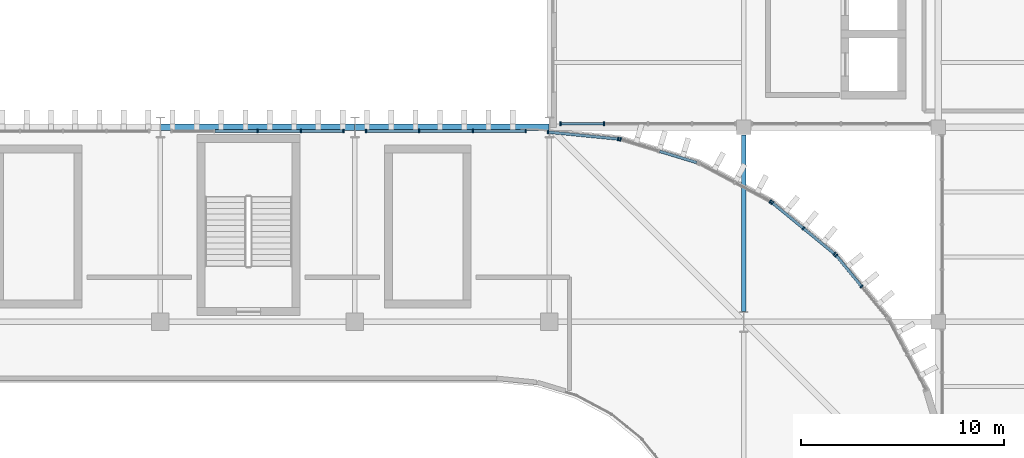
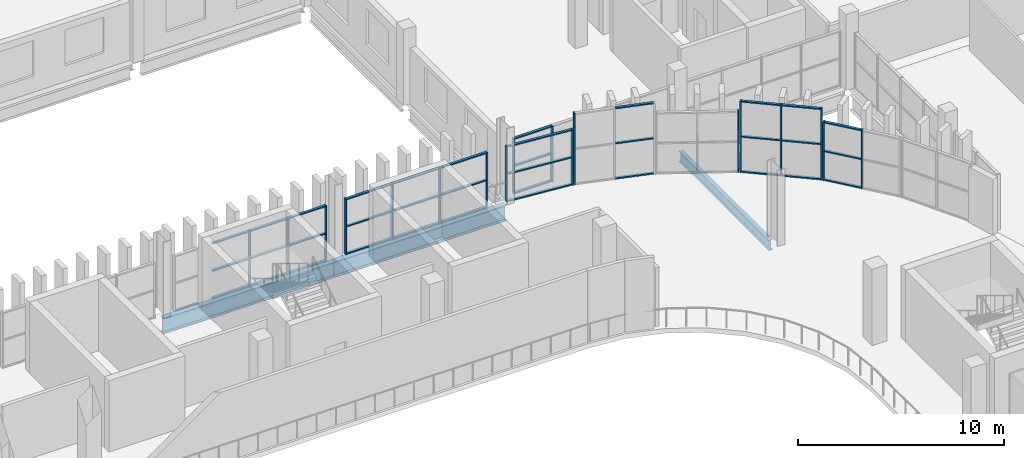
# One storey, part 34 of 92: 54 members, 3 beams, 8 elements without a shape of their own.
"""IFC4 building model written with IfcOpenShell, lengths in metres."""

from ifc_helpers import new_model, si_unit, direction, frame, origin, origin_2d, place, context, subcontext, project, spatial, rectangle, i_section, extrude, material, layer, layer_set, material_profile, profile_set, type_object, element, aggregate, save


model = new_model("IFC4")

# Units and contexts
model_context = context("Model", 3, precision=1e-05, world=origin(), true_north=direction((0.0, 1.0)))
body_context = subcontext(model_context, "Body", "Model", "MODEL_VIEW")
ifc_project = project(units=[si_unit("LENGTHUNIT", "METRE"), si_unit("AREAUNIT", "SQUARE_METRE"), si_unit("VOLUMEUNIT", "CUBIC_METRE"), si_unit("PLANEANGLEUNIT", "RADIAN"), si_unit("MASSUNIT", "GRAM", prefix="KILO")], contexts=[model_context])

# Site, building, storey
site_placement = place(None, origin())
site = spatial("IfcSite", under=ifc_project, at=site_placement, CompositionType="ELEMENT")
building_placement = place(site_placement, origin())
building = spatial("IfcBuilding", under=site, at=building_placement, Name="Caelomonte Colonnade Arena", CompositionType="ELEMENT")
storey_placement = place(building_placement, frame((0.0, 0.0, 9.60009765625)))
storey = spatial("IfcBuildingStorey", under=building, at=storey_placement, Name="L02", CompositionType="ELEMENT", Elevation=9.60009765625)

# Curtain wall, members
ifc_material_1 = material(Name="Bronze anodised aluminium and low-E glazing", Category="aluminium")
ifc_layer_1 = layer(ifc_material_1, 0.179931640625)
ifc_layer_set_1 = layer_set([ifc_layer_1], Name="Bronze anodised aluminium and low-E glazing")
curtain_wall_type_1 = type_object("IfcCurtainWallType", Name="ENV-CW-CW-L02-96-33", PredefinedType="USERDEFINED", material=ifc_layer_set_1)
curtain_wall_1_placement = place(storey_placement, origin())
curtain_wall_1 = element("IfcCurtainWall", 1, at=curtain_wall_1_placement, inside=storey, type_object=curtain_wall_type_1, Name="L02 unitized curtain wall CW-L02-1488-1154", ObjectType="UNITIZED CURTAIN WALL", PredefinedType="USERDEFINED")
ifc_material_2 = material(Name="Bronze anodised aluminium AA6063-T6", Category="aluminium")
ifc_material_profile_1 = material_profile(ifc_material_2, rectangle(XDim=0.070068359375, YDim=0.179931640625, at=origin_2d()), Name="CWM-70X180")
ifc_profile_set_1 = profile_set([ifc_material_profile_1], Name="Bronze anodised aluminium AA6063-T6")
member_type_1 = type_object("IfcMemberType", Name="ENV-CW-MULL1", PredefinedType="MULLION", material=ifc_profile_set_1)
member_1_placement = place(storey_placement, frame((144.560546875, 115.3798828125, 0.0), z_axis=(0.0, 0.0, 1.0), x_axis=(1.0, 0.0, 0.0)))
member_1 = element("IfcMember", 2, at=member_1_placement, type_object=member_type_1, Name="CW-L02-96-33 mullion 1", PredefinedType="MULLION", context=body_context, shape_type="SweptSolid", body=[
    extrude(rectangle(XDim=0.070068359375, YDim=0.179931640625, at=origin_2d()), origin(), (0.0, 0.0, 1.0), 3.29296875),
])
member_2_placement = place(storey_placement, frame((146.70166015625, 115.3798828125, 0.0), z_axis=(0.0, 0.0, 1.0), x_axis=(1.0, 0.0, 0.0)))
member_2 = element("IfcMember", 3, at=member_2_placement, type_object=member_type_1, Name="CW-L02-96-33 mullion 2", PredefinedType="MULLION", context=body_context, shape_type="SweptSolid", body=[
    extrude(rectangle(XDim=0.070068359375, YDim=0.179931640625, at=origin_2d()), origin(), (0.0, 0.0, 1.0), 3.29296875),
])

ifc_layer_2 = layer(ifc_material_1, 0.179931640625)
ifc_layer_set_2 = layer_set([ifc_layer_2], Name="Bronze anodised aluminium and low-E glazing")
curtain_wall_type_2 = type_object("IfcCurtainWallType", Name="ENV-CW-CW-L02-44-35", PredefinedType="USERDEFINED", material=ifc_layer_set_2)
curtain_wall_2_placement = place(storey_placement, origin())
curtain_wall_2 = element("IfcCurtainWall", 4, at=curtain_wall_2_placement, inside=storey, type_object=curtain_wall_type_2, Name="L02 unitized curtain wall CW-L02-1594-1073", ObjectType="UNITIZED CURTAIN WALL", PredefinedType="USERDEFINED")
member_3_placement = place(storey_placement, frame((159.416015625, 107.343994140625, 0.0), z_axis=(0.0, 0.0, 1.0), x_axis=(-0.634416071163, 0.772991751994, 0.0)))
member_3 = element("IfcMember", 5, at=member_3_placement, type_object=member_type_1, Name="CW-L02-44-35 mullion 2", PredefinedType="MULLION", context=body_context, shape_type="SweptSolid", body=[
    extrude(rectangle(XDim=0.070068359375, YDim=0.179931640625, at=origin_2d()), origin(), (0.0, 0.0, 1.0), 3.465576171875),
])
member_4_placement = place(storey_placement, frame((158.15771484375, 108.876953125, 0.0), z_axis=(0.0, 0.0, 1.0), x_axis=(-0.634416071163, 0.772991751994, 0.0)))
member_4 = element("IfcMember", 6, at=member_4_placement, type_object=member_type_1, Name="CW-L02-44-35 mullion 3", PredefinedType="MULLION", context=body_context, shape_type="SweptSolid", body=[
    extrude(rectangle(XDim=0.070068359375, YDim=0.179931640625, at=origin_2d()), origin(), (0.0, 0.0, 1.0), 3.465576171875),
])

ifc_layer_3 = layer(ifc_material_1, 0.179931640625)
ifc_layer_set_3 = layer_set([ifc_layer_3], Name="Bronze anodised aluminium and low-E glazing")
curtain_wall_type_3 = type_object("IfcCurtainWallType", Name="ENV-CW-CW-L02-44-42", PredefinedType="USERDEFINED", material=ifc_layer_set_3)
curtain_wall_3_placement = place(storey_placement, origin())
curtain_wall_3 = element("IfcCurtainWall", 7, at=curtain_wall_3_placement, inside=storey, type_object=curtain_wall_type_3, Name="L02 unitized curtain wall CW-L02-1565-1102", ObjectType="UNITIZED CURTAIN WALL", PredefinedType="USERDEFINED")
member_5_placement = place(storey_placement, frame((158.0771484375, 108.95751953125, 0.0), z_axis=(0.0, 0.0, 1.0), x_axis=(-0.772991751994, 0.634416071163, 0.0)))
member_5 = element("IfcMember", 8, at=member_5_placement, type_object=member_type_1, Name="CW-L02-44-42 mullion 1", PredefinedType="MULLION", context=body_context, shape_type="SweptSolid", body=[
    extrude(rectangle(XDim=0.070068359375, YDim=0.179931640625, at=origin_2d()), origin(), (0.0, 0.0, 1.0), 4.219970703125),
])
member_6_placement = place(storey_placement, frame((156.5439453125, 110.2158203125, 0.0), z_axis=(0.0, 0.0, 1.0), x_axis=(-0.772991751994, 0.634416071163, 0.0)))
member_6 = element("IfcMember", 9, at=member_6_placement, type_object=member_type_1, Name="CW-L02-44-42 mullion 2", PredefinedType="MULLION", context=body_context, shape_type="SweptSolid", body=[
    extrude(rectangle(XDim=0.070068359375, YDim=0.179931640625, at=origin_2d()), origin(), (0.0, 0.0, 1.0), 4.219970703125),
])
member_7_placement = place(storey_placement, frame((155.0107421875, 111.47412109375, 0.0), z_axis=(0.0, 0.0, 1.0), x_axis=(-0.772991751994, 0.634416071163, 0.0)))
member_7 = element("IfcMember", 10, at=member_7_placement, type_object=member_type_1, Name="CW-L02-44-42 mullion 3", PredefinedType="MULLION", context=body_context, shape_type="SweptSolid", body=[
    extrude(rectangle(XDim=0.070068359375, YDim=0.179931640625, at=origin_2d()), origin(), (0.0, 0.0, 1.0), 4.219970703125),
])

# Curtain wall, member
ifc_layer_4 = layer(ifc_material_1, 0.179931640625)
ifc_layer_set_4 = layer_set([ifc_layer_4], Name="Bronze anodised aluminium and low-E glazing")
curtain_wall_type_4 = type_object("IfcCurtainWallType", Name="ENV-CW-CW-L02-44-36", PredefinedType="USERDEFINED", material=ifc_layer_set_4)
curtain_wall_4_placement = place(storey_placement, origin())
curtain_wall_4 = element("IfcCurtainWall", 11, at=curtain_wall_4_placement, inside=storey, type_object=curtain_wall_type_4, Name="L02 unitized curtain wall CW-L02-1532-1125", ObjectType="UNITIZED CURTAIN WALL", PredefinedType="USERDEFINED")
member_8_placement = place(storey_placement, frame((154.916015625, 111.53759765625, 0.0), z_axis=(0.0, 0.0, 1.0), x_axis=(-0.881922613642, 0.471394212466, 0.0)))
member_8 = element("IfcMember", 12, at=member_8_placement, type_object=member_type_1, Name="CW-L02-44-36 mullion 1", PredefinedType="MULLION", context=body_context, shape_type="SweptSolid", body=[
    extrude(rectangle(XDim=0.070068359375, YDim=0.179931640625, at=origin_2d()), origin(), (0.0, 0.0, 1.0), 3.61279296875),
])
aggregate(curtain_wall_4, [member_8])

curtain_wall_5_placement = place(storey_placement, origin())
curtain_wall_5 = element("IfcCurtainWall", 13, at=curtain_wall_5_placement, inside=storey, type_object=curtain_wall_type_3, Name="L02 unitized curtain wall CW-L02-1494-1140", ObjectType="UNITIZED CURTAIN WALL", PredefinedType="USERDEFINED")
member_9_placement = place(storey_placement, frame((147.516357421875, 114.6025390625, 0.0), z_axis=(0.0, 0.0, 1.0), x_axis=(-0.956949160999, 0.290255582655, 0.0)))
member_9 = element("IfcMember", 14, at=member_9_placement, type_object=member_type_1, Name="CW-L02-44-42 mullion 3", PredefinedType="MULLION", context=body_context, shape_type="SweptSolid", body=[
    extrude(rectangle(XDim=0.070068359375, YDim=0.179931640625, at=origin_2d()), origin(), (0.0, 0.0, 1.0), 4.219970703125),
])

# Curtain wall, members
ifc_layer_5 = layer(ifc_material_1, 0.179931640625)
ifc_layer_set_5 = layer_set([ifc_layer_5], Name="Bronze anodised aluminium and low-E glazing")
curtain_wall_type_5 = type_object("IfcCurtainWallType", Name="ENV-CW-CW-L02-42-33", PredefinedType="USERDEFINED", material=ifc_layer_set_5)
curtain_wall_6_placement = place(storey_placement, origin())
curtain_wall_6 = element("IfcCurtainWall", 15, at=curtain_wall_6_placement, inside=storey, type_object=curtain_wall_type_5, Name="L02 unitized curtain wall CW-L02-1455-1148", ObjectType="UNITIZED CURTAIN WALL", PredefinedType="USERDEFINED")
member_10_placement = place(storey_placement, frame((147.404541015625, 114.624755859375, 0.0), z_axis=(0.0, 0.0, 1.0), x_axis=(-0.995184134744, 0.098023150088, 0.0)))
member_10 = element("IfcMember", 16, at=member_10_placement, type_object=member_type_1, Name="CW-L02-42-33 mullion 1", PredefinedType="MULLION", context=body_context, shape_type="SweptSolid", body=[
    extrude(rectangle(XDim=0.070068359375, YDim=0.179931640625, at=origin_2d()), origin(), (0.0, 0.0, 1.0), 3.29296875),
])
member_11_placement = place(storey_placement, frame((143.940185546875, 114.966064453125, 0.0), z_axis=(0.0, 0.0, 1.0), x_axis=(-0.995184134744, 0.098023150088, 0.0)))
member_11 = element("IfcMember", 17, at=member_11_placement, type_object=member_type_1, Name="CW-L02-42-33 mullion 2", PredefinedType="MULLION", context=body_context, shape_type="SweptSolid", body=[
    extrude(rectangle(XDim=0.070068359375, YDim=0.179931640625, at=origin_2d()), origin(), (0.0, 0.0, 1.0), 3.29296875),
])

ifc_layer_6 = layer(ifc_material_1, 0.179931640625)
ifc_layer_set_6 = layer_set([ifc_layer_6], Name="Bronze anodised aluminium and low-E glazing")
curtain_wall_type_6 = type_object("IfcCurtainWallType", Name="ENV-CW-CW-L02-90-33", PredefinedType="USERDEFINED", material=ifc_layer_set_6)
curtain_wall_7_placement = place(storey_placement, origin())
curtain_wall_7 = element("IfcCurtainWall", 18, at=curtain_wall_7_placement, inside=storey, type_object=curtain_wall_type_6, Name="L02 unitized curtain wall CW-L02-1389-1150", ObjectType="UNITIZED CURTAIN WALL", PredefinedType="USERDEFINED")
member_12_placement = place(storey_placement, frame((142.839599609375, 115.02001953125, 0.0), z_axis=(0.0, 0.0, 1.0), x_axis=(-1.0, 0.0, 0.0)))
member_12 = element("IfcMember", 19, at=member_12_placement, type_object=member_type_1, Name="CW-L02-90-33 mullion 1", PredefinedType="MULLION", context=body_context, shape_type="SweptSolid", body=[
    extrude(rectangle(XDim=0.070068359375, YDim=0.179931640625, at=origin_2d()), origin(), (0.0, 0.0, 1.0), 3.29296875),
])
member_13_placement = place(storey_placement, frame((140.224853515625, 115.02001953125, 0.0), z_axis=(0.0, 0.0, 1.0), x_axis=(-1.0, 0.0, 0.0)))
member_13 = element("IfcMember", 20, at=member_13_placement, type_object=member_type_1, Name="CW-L02-90-33 mullion 2", PredefinedType="MULLION", context=body_context, shape_type="SweptSolid", body=[
    extrude(rectangle(XDim=0.070068359375, YDim=0.179931640625, at=origin_2d()), origin(), (0.0, 0.0, 1.0), 3.29296875),
])
member_14_placement = place(storey_placement, frame((137.5751953125, 115.02001953125, 0.0), z_axis=(0.0, 0.0, 1.0), x_axis=(-1.0, 0.0, 0.0)))
member_14 = element("IfcMember", 21, at=member_14_placement, type_object=member_type_1, Name="CW-L02-90-33 mullion 3", PredefinedType="MULLION", context=body_context, shape_type="SweptSolid", body=[
    extrude(rectangle(XDim=0.070068359375, YDim=0.179931640625, at=origin_2d()), origin(), (0.0, 0.0, 1.0), 3.29296875),
])
member_15_placement = place(storey_placement, frame((134.96044921875, 115.02001953125, 0.0), z_axis=(0.0, 0.0, 1.0), x_axis=(-1.0, 0.0, 0.0)))
member_15 = element("IfcMember", 22, at=member_15_placement, type_object=member_type_1, Name="CW-L02-90-33 mullion 4", PredefinedType="MULLION", context=body_context, shape_type="SweptSolid", body=[
    extrude(rectangle(XDim=0.070068359375, YDim=0.179931640625, at=origin_2d()), origin(), (0.0, 0.0, 1.0), 3.29296875),
])

curtain_wall_8_placement = place(storey_placement, origin())
curtain_wall_8 = element("IfcCurtainWall", 23, at=curtain_wall_8_placement, inside=storey, type_object=curtain_wall_type_1, Name="L02 unitized curtain wall CW-L02-1296-1150", ObjectType="UNITIZED CURTAIN WALL", PredefinedType="USERDEFINED")
member_16_placement = place(storey_placement, frame((133.839599609375, 115.02001953125, 0.0), z_axis=(0.0, 0.0, 1.0), x_axis=(-1.0, 0.0, 0.0)))
member_16 = element("IfcMember", 24, at=member_16_placement, type_object=member_type_1, Name="CW-L02-96-33 mullion 1", PredefinedType="MULLION", context=body_context, shape_type="SweptSolid", body=[
    extrude(rectangle(XDim=0.070068359375, YDim=0.179931640625, at=origin_2d()), origin(), (0.0, 0.0, 1.0), 3.29296875),
])
member_17_placement = place(storey_placement, frame((131.7373046875, 115.02001953125, 0.0), z_axis=(0.0, 0.0, 1.0), x_axis=(-1.0, 0.0, 0.0)))
member_17 = element("IfcMember", 25, at=member_17_placement, type_object=member_type_1, Name="CW-L02-96-33 mullion 2", PredefinedType="MULLION", context=body_context, shape_type="SweptSolid", body=[
    extrude(rectangle(XDim=0.070068359375, YDim=0.179931640625, at=origin_2d()), origin(), (0.0, 0.0, 1.0), 3.29296875),
])
member_18_placement = place(storey_placement, frame((129.60009765625, 115.02001953125, 0.0), z_axis=(0.0, 0.0, 1.0), x_axis=(-1.0, 0.0, 0.0)))
member_18 = element("IfcMember", 26, at=member_18_placement, type_object=member_type_1, Name="CW-L02-96-33 mullion 3", PredefinedType="MULLION", context=body_context, shape_type="SweptSolid", body=[
    extrude(rectangle(XDim=0.070068359375, YDim=0.179931640625, at=origin_2d()), origin(), (0.0, 0.0, 1.0), 3.29296875),
])

# Member
ifc_material_profile_2 = material_profile(ifc_material_2, rectangle(XDim=0.070068359375, YDim=0.139892578125, at=origin_2d()), Name="CWT-70X140")
ifc_profile_set_2 = profile_set([ifc_material_profile_2], Name="Bronze anodised aluminium AA6063-T6")
member_type_2 = type_object("IfcMemberType", Name="ENV-CW-TRAN1", PredefinedType="USERDEFINED", material=ifc_profile_set_2)
member_19_placement = place(storey_placement, frame((144.595458984375, 115.3798828125, 0.034912109375), z_axis=(1.0, 0.0, 0.0), x_axis=(0.0, 0.0, 1.0)))
member_19 = element("IfcMember", 27, at=member_19_placement, type_object=member_type_2, Name="CW-L02-96-33 transom 1.1", ObjectType="TRANSOM", PredefinedType="USERDEFINED", context=body_context, shape_type="SweptSolid", body=[
    extrude(rectangle(XDim=0.070068359375, YDim=0.139892578125, at=origin_2d()), origin(), (0.0, 0.0, 1.0), 2.071044921875),
])

member_20_placement = place(storey_placement, frame((144.595458984375, 115.3798828125, 1.646484375), z_axis=(1.0, 0.0, 0.0), x_axis=(0.0, 0.0, 1.0)))
member_20 = element("IfcMember", 28, at=member_20_placement, type_object=member_type_2, Name="CW-L02-96-33 transom 1.2", ObjectType="TRANSOM", PredefinedType="USERDEFINED", context=body_context, shape_type="SweptSolid", body=[
    extrude(rectangle(XDim=0.070068359375, YDim=0.139892578125, at=origin_2d()), origin(), (0.0, 0.0, 1.0), 2.071044921875),
])

member_21_placement = place(storey_placement, frame((144.595458984375, 115.3798828125, 3.2578125), z_axis=(1.0, 0.0, 0.0), x_axis=(0.0, 0.0, 1.0)))
member_21 = element("IfcMember", 29, at=member_21_placement, type_object=member_type_2, Name="CW-L02-96-33 transom 1.3", ObjectType="TRANSOM", PredefinedType="USERDEFINED", context=body_context, shape_type="SweptSolid", body=[
    extrude(rectangle(XDim=0.070068359375, YDim=0.139892578125, at=origin_2d()), origin(), (0.0, 0.0, 1.0), 2.071044921875),
])

aggregate(curtain_wall_1, [member_1, member_2, member_19, member_20, member_21])

member_22_placement = place(storey_placement, frame((159.393798828125, 107.370849609375, 0.034912109375), z_axis=(-0.634431948726, 0.772978720558, 0.0), x_axis=(0.0, 0.0, 1.0)))
member_22 = element("IfcMember", 30, at=member_22_placement, type_object=member_type_2, Name="CW-L02-44-35 transom 2.1", ObjectType="TRANSOM", PredefinedType="USERDEFINED", context=body_context, shape_type="SweptSolid", body=[
    extrude(rectangle(XDim=0.070068359375, YDim=0.139892578125, at=origin_2d()), origin(), (0.0, 0.0, 1.0), 1.913818359375),
])

member_23_placement = place(storey_placement, frame((159.393798828125, 107.370849609375, 1.732666015625), z_axis=(-0.634431948726, 0.772978720558, 0.0), x_axis=(0.0, 0.0, 1.0)))
member_23 = element("IfcMember", 31, at=member_23_placement, type_object=member_type_2, Name="CW-L02-44-35 transom 2.2", ObjectType="TRANSOM", PredefinedType="USERDEFINED", context=body_context, shape_type="SweptSolid", body=[
    extrude(rectangle(XDim=0.070068359375, YDim=0.139892578125, at=origin_2d()), origin(), (0.0, 0.0, 1.0), 1.913818359375),
])

member_24_placement = place(storey_placement, frame((159.393798828125, 107.370849609375, 3.430419921875), z_axis=(-0.634431948726, 0.772978720558, 0.0), x_axis=(0.0, 0.0, 1.0)))
member_24 = element("IfcMember", 32, at=member_24_placement, type_object=member_type_2, Name="CW-L02-44-35 transom 2.3", ObjectType="TRANSOM", PredefinedType="USERDEFINED", context=body_context, shape_type="SweptSolid", body=[
    extrude(rectangle(XDim=0.070068359375, YDim=0.139892578125, at=origin_2d()), origin(), (0.0, 0.0, 1.0), 1.913818359375),
])

aggregate(curtain_wall_2, [member_3, member_4, member_22, member_23, member_24])

member_25_placement = place(storey_placement, frame((158.050048828125, 108.979736328125, 0.034912109375), z_axis=(-0.772989936128, 0.634418283662, 0.0), x_axis=(0.0, 0.0, 1.0)))
member_25 = element("IfcMember", 33, at=member_25_placement, type_object=member_type_2, Name="CW-L02-44-42 transom 1.1", ObjectType="TRANSOM", PredefinedType="USERDEFINED", context=body_context, shape_type="SweptSolid", body=[
    extrude(rectangle(XDim=0.070068359375, YDim=0.139892578125, at=origin_2d()), origin(), (0.0, 0.0, 1.0), 1.913330078125),
])

member_26_placement = place(storey_placement, frame((158.050048828125, 108.979736328125, 2.10986328125), z_axis=(-0.772989936128, 0.634418283662, 0.0), x_axis=(0.0, 0.0, 1.0)))
member_26 = element("IfcMember", 34, at=member_26_placement, type_object=member_type_2, Name="CW-L02-44-42 transom 1.2", ObjectType="TRANSOM", PredefinedType="USERDEFINED", context=body_context, shape_type="SweptSolid", body=[
    extrude(rectangle(XDim=0.070068359375, YDim=0.139892578125, at=origin_2d()), origin(), (0.0, 0.0, 1.0), 1.913330078125),
])

member_27_placement = place(storey_placement, frame((158.050048828125, 108.979736328125, 4.184814453125), z_axis=(-0.772989936128, 0.634418283662, 0.0), x_axis=(0.0, 0.0, 1.0)))
member_27 = element("IfcMember", 35, at=member_27_placement, type_object=member_type_2, Name="CW-L02-44-42 transom 1.3", ObjectType="TRANSOM", PredefinedType="USERDEFINED", context=body_context, shape_type="SweptSolid", body=[
    extrude(rectangle(XDim=0.070068359375, YDim=0.139892578125, at=origin_2d()), origin(), (0.0, 0.0, 1.0), 1.913330078125),
])

member_28_placement = place(storey_placement, frame((156.516845703125, 110.238037109375, 0.034912109375), z_axis=(-0.772989936128, 0.634418283662, 0.0), x_axis=(0.0, 0.0, 1.0)))
member_28 = element("IfcMember", 36, at=member_28_placement, type_object=member_type_2, Name="CW-L02-44-42 transom 2.1", ObjectType="TRANSOM", PredefinedType="USERDEFINED", context=body_context, shape_type="SweptSolid", body=[
    extrude(rectangle(XDim=0.070068359375, YDim=0.139892578125, at=origin_2d()), origin(), (0.0, 0.0, 1.0), 1.913330078125),
])

member_29_placement = place(storey_placement, frame((156.516845703125, 110.238037109375, 2.10986328125), z_axis=(-0.772989936128, 0.634418283662, 0.0), x_axis=(0.0, 0.0, 1.0)))
member_29 = element("IfcMember", 37, at=member_29_placement, type_object=member_type_2, Name="CW-L02-44-42 transom 2.2", ObjectType="TRANSOM", PredefinedType="USERDEFINED", context=body_context, shape_type="SweptSolid", body=[
    extrude(rectangle(XDim=0.070068359375, YDim=0.139892578125, at=origin_2d()), origin(), (0.0, 0.0, 1.0), 1.913330078125),
])

member_30_placement = place(storey_placement, frame((156.516845703125, 110.238037109375, 4.184814453125), z_axis=(-0.772989936128, 0.634418283662, 0.0), x_axis=(0.0, 0.0, 1.0)))
member_30 = element("IfcMember", 38, at=member_30_placement, type_object=member_type_2, Name="CW-L02-44-42 transom 2.3", ObjectType="TRANSOM", PredefinedType="USERDEFINED", context=body_context, shape_type="SweptSolid", body=[
    extrude(rectangle(XDim=0.070068359375, YDim=0.139892578125, at=origin_2d()), origin(), (0.0, 0.0, 1.0), 1.913330078125),
])

aggregate(curtain_wall_3, [member_5, member_6, member_7, member_25, member_26, member_27, member_28, member_29, member_30])

member_31_placement = place(storey_placement, frame((151.27880859375, 113.461181640625, 0.034912109375), z_axis=(-0.956933131783, 0.290308424431, 0.0), x_axis=(0.0, 0.0, 1.0)))
member_31 = element("IfcMember", 39, at=member_31_placement, type_object=member_type_2, Name="CW-L02-44-42 transom 1.1", ObjectType="TRANSOM", PredefinedType="USERDEFINED", context=body_context, shape_type="SweptSolid", body=[
    extrude(rectangle(XDim=0.070068359375, YDim=0.139892578125, at=origin_2d()), origin(), (0.0, 0.0, 1.0), 1.9130859375),
])

member_32_placement = place(storey_placement, frame((151.27880859375, 113.461181640625, 2.10986328125), z_axis=(-0.956933131783, 0.290308424431, 0.0), x_axis=(0.0, 0.0, 1.0)))
member_32 = element("IfcMember", 40, at=member_32_placement, type_object=member_type_2, Name="CW-L02-44-42 transom 1.2", ObjectType="TRANSOM", PredefinedType="USERDEFINED", context=body_context, shape_type="SweptSolid", body=[
    extrude(rectangle(XDim=0.070068359375, YDim=0.139892578125, at=origin_2d()), origin(), (0.0, 0.0, 1.0), 1.9130859375),
])

member_33_placement = place(storey_placement, frame((151.27880859375, 113.461181640625, 4.184814453125), z_axis=(-0.956933131783, 0.290308424431, 0.0), x_axis=(0.0, 0.0, 1.0)))
member_33 = element("IfcMember", 41, at=member_33_placement, type_object=member_type_2, Name="CW-L02-44-42 transom 1.3", ObjectType="TRANSOM", PredefinedType="USERDEFINED", context=body_context, shape_type="SweptSolid", body=[
    extrude(rectangle(XDim=0.070068359375, YDim=0.139892578125, at=origin_2d()), origin(), (0.0, 0.0, 1.0), 1.9130859375),
])

aggregate(curtain_wall_5, [member_9, member_31, member_32, member_33])

member_34_placement = place(storey_placement, frame((147.36962890625, 114.628173828125, 0.034912109375), z_axis=(-0.995181395759, 0.098050953771, 0.0), x_axis=(0.0, 0.0, 1.0)))
member_34 = element("IfcMember", 42, at=member_34_placement, type_object=member_type_2, Name="CW-L02-42-33 transom 1.1", ObjectType="TRANSOM", PredefinedType="USERDEFINED", context=body_context, shape_type="SweptSolid", body=[
    extrude(rectangle(XDim=0.070068359375, YDim=0.139892578125, at=origin_2d()), origin(), (0.0, 0.0, 1.0), 3.4111328125),
])

member_35_placement = place(storey_placement, frame((147.36962890625, 114.628173828125, 1.646484375), z_axis=(-0.995181395759, 0.098050953771, 0.0), x_axis=(0.0, 0.0, 1.0)))
member_35 = element("IfcMember", 43, at=member_35_placement, type_object=member_type_2, Name="CW-L02-42-33 transom 1.2", ObjectType="TRANSOM", PredefinedType="USERDEFINED", context=body_context, shape_type="SweptSolid", body=[
    extrude(rectangle(XDim=0.070068359375, YDim=0.139892578125, at=origin_2d()), origin(), (0.0, 0.0, 1.0), 3.4111328125),
])

member_36_placement = place(storey_placement, frame((147.36962890625, 114.628173828125, 3.2578125), z_axis=(-0.995181395759, 0.098050953771, 0.0), x_axis=(0.0, 0.0, 1.0)))
member_36 = element("IfcMember", 44, at=member_36_placement, type_object=member_type_2, Name="CW-L02-42-33 transom 1.3", ObjectType="TRANSOM", PredefinedType="USERDEFINED", context=body_context, shape_type="SweptSolid", body=[
    extrude(rectangle(XDim=0.070068359375, YDim=0.139892578125, at=origin_2d()), origin(), (0.0, 0.0, 1.0), 3.4111328125),
])

aggregate(curtain_wall_6, [member_10, member_11, member_34, member_35, member_36])

member_37_placement = place(storey_placement, frame((142.804443359375, 115.02001953125, 0.034912109375), z_axis=(-1.0, 0.0, 0.0), x_axis=(0.0, 0.0, 1.0)))
member_37 = element("IfcMember", 45, at=member_37_placement, type_object=member_type_2, Name="CW-L02-90-33 transom 1.1", ObjectType="TRANSOM", PredefinedType="USERDEFINED", context=body_context, shape_type="SweptSolid", body=[
    extrude(rectangle(XDim=0.070068359375, YDim=0.139892578125, at=origin_2d()), origin(), (0.0, 0.0, 1.0), 2.544677734375),
])

member_38_placement = place(storey_placement, frame((142.804443359375, 115.02001953125, 1.646484375), z_axis=(-1.0, 0.0, 0.0), x_axis=(0.0, 0.0, 1.0)))
member_38 = element("IfcMember", 46, at=member_38_placement, type_object=member_type_2, Name="CW-L02-90-33 transom 1.2", ObjectType="TRANSOM", PredefinedType="USERDEFINED", context=body_context, shape_type="SweptSolid", body=[
    extrude(rectangle(XDim=0.070068359375, YDim=0.139892578125, at=origin_2d()), origin(), (0.0, 0.0, 1.0), 2.544677734375),
])

member_39_placement = place(storey_placement, frame((142.804443359375, 115.02001953125, 3.2578125), z_axis=(-1.0, 0.0, 0.0), x_axis=(0.0, 0.0, 1.0)))
member_39 = element("IfcMember", 47, at=member_39_placement, type_object=member_type_2, Name="CW-L02-90-33 transom 1.3", ObjectType="TRANSOM", PredefinedType="USERDEFINED", context=body_context, shape_type="SweptSolid", body=[
    extrude(rectangle(XDim=0.070068359375, YDim=0.139892578125, at=origin_2d()), origin(), (0.0, 0.0, 1.0), 2.544677734375),
])

member_40_placement = place(storey_placement, frame((140.18994140625, 115.02001953125, 0.034912109375), z_axis=(-1.0, 0.0, 0.0), x_axis=(0.0, 0.0, 1.0)))
member_40 = element("IfcMember", 48, at=member_40_placement, type_object=member_type_2, Name="CW-L02-90-33 transom 2.1", ObjectType="TRANSOM", PredefinedType="USERDEFINED", context=body_context, shape_type="SweptSolid", body=[
    extrude(rectangle(XDim=0.070068359375, YDim=0.139892578125, at=origin_2d()), origin(), (0.0, 0.0, 1.0), 2.579833984375),
])

member_41_placement = place(storey_placement, frame((140.18994140625, 115.02001953125, 1.646484375), z_axis=(-1.0, 0.0, 0.0), x_axis=(0.0, 0.0, 1.0)))
member_41 = element("IfcMember", 49, at=member_41_placement, type_object=member_type_2, Name="CW-L02-90-33 transom 2.2", ObjectType="TRANSOM", PredefinedType="USERDEFINED", context=body_context, shape_type="SweptSolid", body=[
    extrude(rectangle(XDim=0.070068359375, YDim=0.139892578125, at=origin_2d()), origin(), (0.0, 0.0, 1.0), 2.579833984375),
])

member_42_placement = place(storey_placement, frame((140.18994140625, 115.02001953125, 3.2578125), z_axis=(-1.0, 0.0, 0.0), x_axis=(0.0, 0.0, 1.0)))
member_42 = element("IfcMember", 50, at=member_42_placement, type_object=member_type_2, Name="CW-L02-90-33 transom 2.3", ObjectType="TRANSOM", PredefinedType="USERDEFINED", context=body_context, shape_type="SweptSolid", body=[
    extrude(rectangle(XDim=0.070068359375, YDim=0.139892578125, at=origin_2d()), origin(), (0.0, 0.0, 1.0), 2.579833984375),
])

member_43_placement = place(storey_placement, frame((137.540283203125, 115.02001953125, 0.034912109375), z_axis=(-1.0, 0.0, 0.0), x_axis=(0.0, 0.0, 1.0)))
member_43 = element("IfcMember", 51, at=member_43_placement, type_object=member_type_2, Name="CW-L02-90-33 transom 3.1", ObjectType="TRANSOM", PredefinedType="USERDEFINED", context=body_context, shape_type="SweptSolid", body=[
    extrude(rectangle(XDim=0.070068359375, YDim=0.139892578125, at=origin_2d()), origin(), (0.0, 0.0, 1.0), 2.544677734375),
])

member_44_placement = place(storey_placement, frame((137.540283203125, 115.02001953125, 1.646484375), z_axis=(-1.0, 0.0, 0.0), x_axis=(0.0, 0.0, 1.0)))
member_44 = element("IfcMember", 52, at=member_44_placement, type_object=member_type_2, Name="CW-L02-90-33 transom 3.2", ObjectType="TRANSOM", PredefinedType="USERDEFINED", context=body_context, shape_type="SweptSolid", body=[
    extrude(rectangle(XDim=0.070068359375, YDim=0.139892578125, at=origin_2d()), origin(), (0.0, 0.0, 1.0), 2.544677734375),
])

member_45_placement = place(storey_placement, frame((137.540283203125, 115.02001953125, 3.2578125), z_axis=(-1.0, 0.0, 0.0), x_axis=(0.0, 0.0, 1.0)))
member_45 = element("IfcMember", 53, at=member_45_placement, type_object=member_type_2, Name="CW-L02-90-33 transom 3.3", ObjectType="TRANSOM", PredefinedType="USERDEFINED", context=body_context, shape_type="SweptSolid", body=[
    extrude(rectangle(XDim=0.070068359375, YDim=0.139892578125, at=origin_2d()), origin(), (0.0, 0.0, 1.0), 2.544677734375),
])

aggregate(curtain_wall_7, [member_12, member_13, member_14, member_15, member_37, member_38, member_39, member_40, member_41, member_42, member_43, member_44, member_45])

member_46_placement = place(storey_placement, frame((133.804443359375, 115.02001953125, 0.034912109375), z_axis=(-1.0, 0.0, 0.0), x_axis=(0.0, 0.0, 1.0)))
member_46 = element("IfcMember", 54, at=member_46_placement, type_object=member_type_2, Name="CW-L02-96-33 transom 1.1", ObjectType="TRANSOM", PredefinedType="USERDEFINED", context=body_context, shape_type="SweptSolid", body=[
    extrude(rectangle(XDim=0.070068359375, YDim=0.139892578125, at=origin_2d()), origin(), (0.0, 0.0, 1.0), 2.0322265625),
])

member_47_placement = place(storey_placement, frame((133.804443359375, 115.02001953125, 1.646484375), z_axis=(-1.0, 0.0, 0.0), x_axis=(0.0, 0.0, 1.0)))
member_47 = element("IfcMember", 55, at=member_47_placement, type_object=member_type_2, Name="CW-L02-96-33 transom 1.2", ObjectType="TRANSOM", PredefinedType="USERDEFINED", context=body_context, shape_type="SweptSolid", body=[
    extrude(rectangle(XDim=0.070068359375, YDim=0.139892578125, at=origin_2d()), origin(), (0.0, 0.0, 1.0), 2.0322265625),
])

member_48_placement = place(storey_placement, frame((133.804443359375, 115.02001953125, 3.2578125), z_axis=(-1.0, 0.0, 0.0), x_axis=(0.0, 0.0, 1.0)))
member_48 = element("IfcMember", 56, at=member_48_placement, type_object=member_type_2, Name="CW-L02-96-33 transom 1.3", ObjectType="TRANSOM", PredefinedType="USERDEFINED", context=body_context, shape_type="SweptSolid", body=[
    extrude(rectangle(XDim=0.070068359375, YDim=0.139892578125, at=origin_2d()), origin(), (0.0, 0.0, 1.0), 2.0322265625),
])

member_49_placement = place(storey_placement, frame((131.7021484375, 115.02001953125, 0.034912109375), z_axis=(-1.0, 0.0, 0.0), x_axis=(0.0, 0.0, 1.0)))
member_49 = element("IfcMember", 57, at=member_49_placement, type_object=member_type_2, Name="CW-L02-96-33 transom 2.1", ObjectType="TRANSOM", PredefinedType="USERDEFINED", context=body_context, shape_type="SweptSolid", body=[
    extrude(rectangle(XDim=0.070068359375, YDim=0.139892578125, at=origin_2d()), origin(), (0.0, 0.0, 1.0), 2.067138671875),
])

member_50_placement = place(storey_placement, frame((131.7021484375, 115.02001953125, 1.646484375), z_axis=(-1.0, 0.0, 0.0), x_axis=(0.0, 0.0, 1.0)))
member_50 = element("IfcMember", 58, at=member_50_placement, type_object=member_type_2, Name="CW-L02-96-33 transom 2.2", ObjectType="TRANSOM", PredefinedType="USERDEFINED", context=body_context, shape_type="SweptSolid", body=[
    extrude(rectangle(XDim=0.070068359375, YDim=0.139892578125, at=origin_2d()), origin(), (0.0, 0.0, 1.0), 2.067138671875),
])

member_51_placement = place(storey_placement, frame((131.7021484375, 115.02001953125, 3.2578125), z_axis=(-1.0, 0.0, 0.0), x_axis=(0.0, 0.0, 1.0)))
member_51 = element("IfcMember", 59, at=member_51_placement, type_object=member_type_2, Name="CW-L02-96-33 transom 2.3", ObjectType="TRANSOM", PredefinedType="USERDEFINED", context=body_context, shape_type="SweptSolid", body=[
    extrude(rectangle(XDim=0.070068359375, YDim=0.139892578125, at=origin_2d()), origin(), (0.0, 0.0, 1.0), 2.067138671875),
])

member_52_placement = place(storey_placement, frame((129.56494140625, 115.02001953125, 0.034912109375), z_axis=(-1.0, 0.0, 0.0), x_axis=(0.0, 0.0, 1.0)))
member_52 = element("IfcMember", 60, at=member_52_placement, type_object=member_type_2, Name="CW-L02-96-33 transom 3.1", ObjectType="TRANSOM", PredefinedType="USERDEFINED", context=body_context, shape_type="SweptSolid", body=[
    extrude(rectangle(XDim=0.070068359375, YDim=0.139892578125, at=origin_2d()), origin(), (0.0, 0.0, 1.0), 2.067138671875),
])

member_53_placement = place(storey_placement, frame((129.56494140625, 115.02001953125, 1.646484375), z_axis=(-1.0, 0.0, 0.0), x_axis=(0.0, 0.0, 1.0)))
member_53 = element("IfcMember", 61, at=member_53_placement, type_object=member_type_2, Name="CW-L02-96-33 transom 3.2", ObjectType="TRANSOM", PredefinedType="USERDEFINED", context=body_context, shape_type="SweptSolid", body=[
    extrude(rectangle(XDim=0.070068359375, YDim=0.139892578125, at=origin_2d()), origin(), (0.0, 0.0, 1.0), 2.067138671875),
])

member_54_placement = place(storey_placement, frame((129.56494140625, 115.02001953125, 3.2578125), z_axis=(-1.0, 0.0, 0.0), x_axis=(0.0, 0.0, 1.0)))
member_54 = element("IfcMember", 62, at=member_54_placement, type_object=member_type_2, Name="CW-L02-96-33 transom 3.3", ObjectType="TRANSOM", PredefinedType="USERDEFINED", context=body_context, shape_type="SweptSolid", body=[
    extrude(rectangle(XDim=0.070068359375, YDim=0.139892578125, at=origin_2d()), origin(), (0.0, 0.0, 1.0), 2.067138671875),
])

aggregate(curtain_wall_8, [member_16, member_17, member_18, member_46, member_47, member_48, member_49, member_50, member_51, member_52, member_53, member_54])

# Beams
ifc_material_3 = material(Name="Wide-flange steel ASTM A992 Grade 50", Category="steel")
ifc_material_profile_3 = material_profile(ifc_material_3, i_section(OverallWidth=0.307861328125, OverallDepth=0.927001953125, WebThickness=0.019287109375, FlangeThickness=0.031982421875, FilletRadius=0.020263671875, at=origin_2d()), Name="W36X194")
ifc_profile_set_3 = profile_set([ifc_material_profile_3], Name="Wide-flange steel ASTM A992 Grade 50")
beam_type_1 = type_object("IfcBeamType", Name="STR-BM-EAVES2", PredefinedType="SPANDREL", material=ifc_profile_set_3)
for number, where, z_axis, x_axis, name in (
    (63, (124.811767578125, 115.199951171875, -0.74365234375), (1.0, 0.0, 0.0), (0.0, 1.0, 0.0), "L02 girder BMX-L02-1248-1152"),
    (64, (134.411865234375, 115.199951171875, -0.74365234375), (1.0, 0.0, 0.0), (0.0, 1.0, 0.0), "L02 girder BMX-L02-1344-1152"),
):
    element("IfcBeam", number, at=place(storey_placement, frame(where, z_axis=z_axis, x_axis=x_axis)), inside=storey, type_object=beam_type_1, Name=name, PredefinedType="SPANDREL", context=body_context, shape_type="SweptSolid", body=[
        extrude(i_section(OverallWidth=0.307861328125, OverallDepth=0.927001953125, WebThickness=0.019287109375, FlangeThickness=0.031982421875, FilletRadius=0.020263671875, at=origin_2d()), origin(), (0.0, 0.0, 1.0), 9.576416015625),
    ])
ifc_material_profile_4 = material_profile(ifc_material_3, i_section(OverallWidth=0.228271484375, OverallDepth=0.607177734375, WebThickness=0.01123046875, FlangeThickness=0.017333984375, FilletRadius=0.0126953125, at=origin_2d()), Name="W24X76")
ifc_profile_set_4 = profile_set([ifc_material_profile_4], Name="Wide-flange steel ASTM A992 Grade 50")
beam_type_2 = type_object("IfcBeamType", Name="STR-BM-GIRD24", PredefinedType="BEAM", material=ifc_profile_set_4)
beam_placement = place(storey_placement, frame((153.60009765625, 106.097412109375, -0.58349609375), z_axis=(0.0, 1.0, 0.0), x_axis=(-1.0, 0.0, 0.0)))
element("IfcBeam", 65, at=beam_placement, inside=storey, type_object=beam_type_2, Name="L02 girder BMY-L02-1536-1056", PredefinedType="BEAM", context=body_context, shape_type="SweptSolid", body=[
    extrude(i_section(OverallWidth=0.228271484375, OverallDepth=0.607177734375, WebThickness=0.01123046875, FlangeThickness=0.017333984375, FilletRadius=0.0126953125, at=origin_2d()), origin(), (0.0, 0.0, 1.0), 8.735595703125),
])

save(model, "model.ifc")
